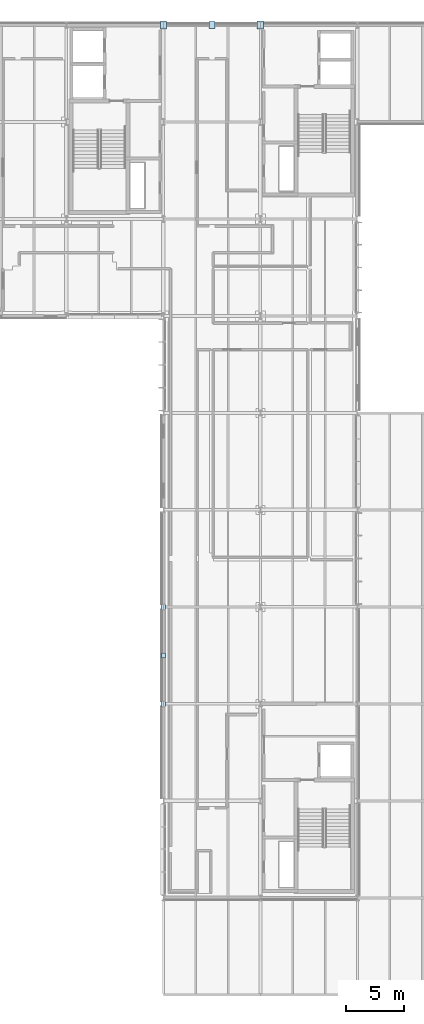
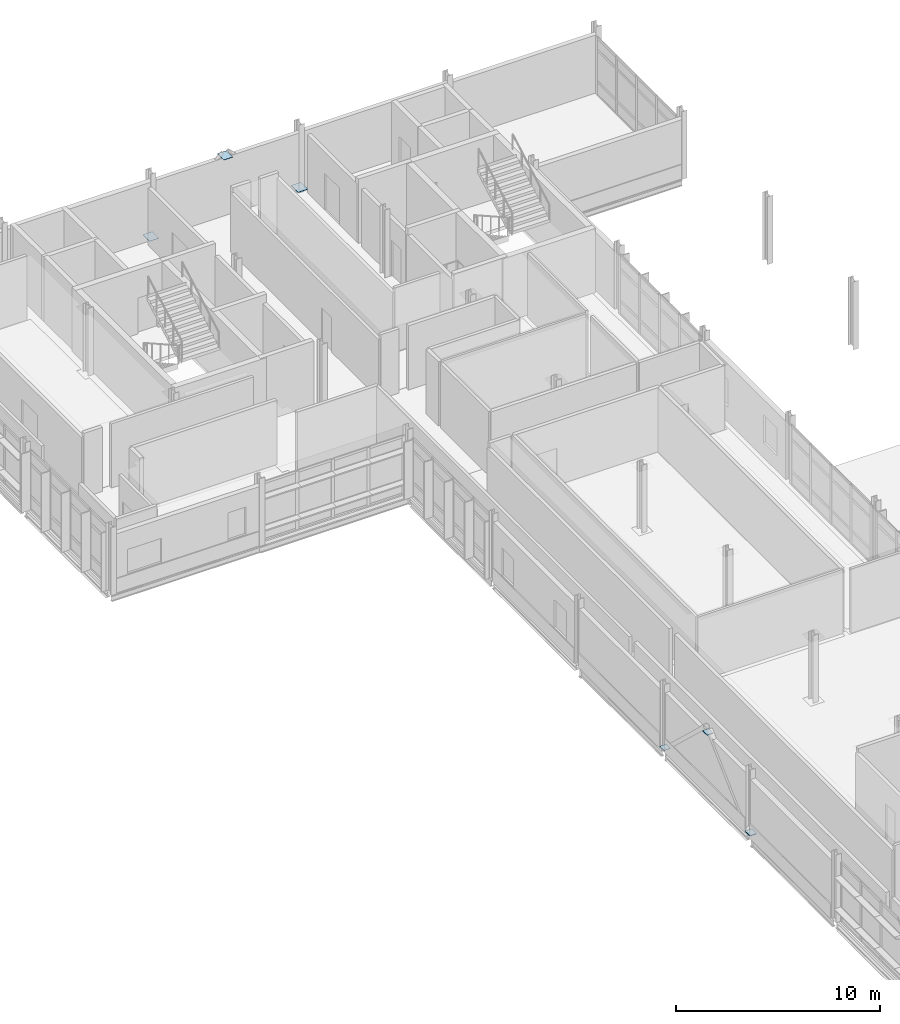
# One storey, part 119 of 151: 6 plates.
"""IFC4 building model written with IfcOpenShell, lengths in metres."""

from ifc_helpers import new_model, si_unit, direction, frame, origin, origin_2d, place, context, subcontext, project, spatial, rectangle, extrude, material, layer, layer_set, type_object, element, save


model = new_model("IFC4")

# Units and contexts
model_context = context("Model", 3, precision=1e-05, world=origin(), true_north=direction((0.0, 1.0)))
body_context = subcontext(model_context, "Body", "Model", "MODEL_VIEW")
ifc_project = project(units=[si_unit("LENGTHUNIT", "METRE"), si_unit("AREAUNIT", "SQUARE_METRE"), si_unit("VOLUMEUNIT", "CUBIC_METRE"), si_unit("PLANEANGLEUNIT", "RADIAN"), si_unit("MASSUNIT", "GRAM", prefix="KILO")], contexts=[model_context])

# Site, building, storey
site_placement = place(None, origin())
site = spatial("IfcSite", under=ifc_project, at=site_placement, CompositionType="ELEMENT")
building_placement = place(site_placement, origin())
building = spatial("IfcBuilding", under=site, at=building_placement, Name="Mersafa Astral City Hall", CompositionType="ELEMENT")
storey_placement = place(building_placement, frame((0.0, 0.0, 9.89990234375)))
storey = spatial("IfcBuildingStorey", under=building, at=storey_placement, Name="L02", CompositionType="ELEMENT", Elevation=9.89990234375)

# Plates
ifc_material = material(Name="Steel S355", Category="steel")
ifc_layer_1 = layer(ifc_material, 0.031005859375, Name="Steel S355")
ifc_layer_set_1 = layer_set([ifc_layer_1], Name="Steel S355 — STR-PLT-NP-18")
plate_type_1 = type_object("IfcPlateType", Name="STR-PLT-NP-18", PredefinedType="SHEET", material=ifc_layer_set_1)
plate_1_placement = place(storey_placement, frame((159.60009765625, 71.39990234375, 3.57470703125), z_axis=(0.0, 0.0, 1.0), x_axis=(1.0, 0.0, 0.0)))
element("IfcPlate", 1, at=plate_1_placement, inside=storey, type_object=plate_type_1, Name="L02 Structural steel brace gusset plate NP-18", PredefinedType="SHEET", context=body_context, shape_type="SweptSolid", body=[
    extrude(rectangle(XDim=0.360107421875, YDim=0.449951171875, at=origin_2d()), origin(), (0.0, 0.0, 1.0), 0.031005859375),
])
ifc_layer_2 = layer(ifc_material, 0.031982421875, Name="Steel S355")
ifc_layer_set_2 = layer_set([ifc_layer_2], Name="Steel S355 — STR-PLT-NP-19")
plate_type_2 = type_object("IfcPlateType", Name="STR-PLT-NP-19", PredefinedType="SHEET", material=ifc_layer_set_2)
plate_2_placement = place(storey_placement, frame((159.60009765625, 67.197998046875, 0.10400390625), z_axis=(0.0, 0.0, 1.0), x_axis=(1.0, 0.0, 0.0)))
element("IfcPlate", 2, at=plate_2_placement, inside=storey, type_object=plate_type_2, Name="L02 Structural steel brace gusset plate NP-19", PredefinedType="SHEET", context=body_context, shape_type="SweptSolid", body=[
    extrude(rectangle(XDim=0.385009765625, YDim=0.47998046875, at=origin_2d()), origin(), (0.0, 0.0, 1.0), 0.031982421875),
])
ifc_layer_3 = layer(ifc_material, 0.014892578125, Name="Steel S355")
ifc_layer_set_3 = layer_set([ifc_layer_3], Name="Steel S355 — STR-PLT-NP-2")
plate_type_3 = type_object("IfcPlateType", Name="STR-PLT-NP-2", PredefinedType="SHEET", material=ifc_layer_set_3)
plate_3_placement = place(storey_placement, frame((159.60009765625, 75.60205078125, 0.11279296875), z_axis=(0.0, 0.0, 1.0), x_axis=(1.0, 0.0, 0.0)))
element("IfcPlate", 3, at=plate_3_placement, inside=storey, type_object=plate_type_3, Name="L02 Structural steel brace gusset plate NP-2", PredefinedType="SHEET", context=body_context, shape_type="SweptSolid", body=[
    extrude(rectangle(XDim=0.385009765625, YDim=0.429931640625, at=origin_2d()), origin(), (0.0, 0.0, 1.0), 0.014892578125),
])
ifc_layer_4 = layer(ifc_material, 0.01708984375, Name="Steel S355")
ifc_layer_set_4 = layer_set([ifc_layer_4], Name="Steel S355 — STR-PLT-NP-24")
plate_type_4 = type_object("IfcPlateType", Name="STR-PLT-NP-24", PredefinedType="SHEET", material=ifc_layer_set_4)
plate_4_placement = place(storey_placement, frame((163.800048828125, 126.0, 3.491455078125), z_axis=(0.0, 0.0, 1.0), x_axis=(1.0, 0.0, 0.0)))
element("IfcPlate", 4, at=plate_4_placement, inside=storey, type_object=plate_type_4, Name="L02 Structural steel brace gusset plate NP-24", PredefinedType="SHEET", context=body_context, shape_type="SweptSolid", body=[
    extrude(rectangle(XDim=0.510009765625, YDim=0.6298828125, at=origin_2d()), origin(), (0.0, 0.0, 1.0), 0.01708984375),
])
ifc_layer_5 = layer(ifc_material, 0.01806640625, Name="Steel S355")
ifc_layer_set_5 = layer_set([ifc_layer_5], Name="Steel S355 — STR-PLT-NP-25")
plate_type_5 = type_object("IfcPlateType", Name="STR-PLT-NP-25", PredefinedType="SHEET", material=ifc_layer_set_5)
plate_5_placement = place(storey_placement, frame((159.597900390625, 126.0, 0.111083984375), z_axis=(0.0, 0.0, 1.0), x_axis=(1.0, 0.0, 0.0)))
element("IfcPlate", 5, at=plate_5_placement, inside=storey, type_object=plate_type_5, Name="L02 Structural steel brace gusset plate NP-25", PredefinedType="SHEET", context=body_context, shape_type="SweptSolid", body=[
    extrude(rectangle(XDim=0.534912109375, YDim=0.659912109375, at=origin_2d()), origin(), (0.0, 0.0, 1.0), 0.01806640625),
])
ifc_layer_6 = layer(ifc_material, 0.01904296875, Name="Steel S355")
ifc_layer_set_6 = layer_set([ifc_layer_6], Name="Steel S355 — STR-PLT-NP-26")
plate_type_6 = type_object("IfcPlateType", Name="STR-PLT-NP-26", PredefinedType="SHEET", material=ifc_layer_set_6)
plate_6_placement = place(storey_placement, frame((168.001953125, 126.0, 0.110595703125), z_axis=(0.0, 0.0, 1.0), x_axis=(1.0, 0.0, 0.0)))
element("IfcPlate", 6, at=plate_6_placement, inside=storey, type_object=plate_type_6, Name="L02 Structural steel brace gusset plate NP-26", PredefinedType="SHEET", context=body_context, shape_type="SweptSolid", body=[
    extrude(rectangle(XDim=0.56005859375, YDim=0.68994140625, at=origin_2d()), origin(), (0.0, 0.0, 1.0), 0.01904296875),
])

save(model, "model.ifc")
